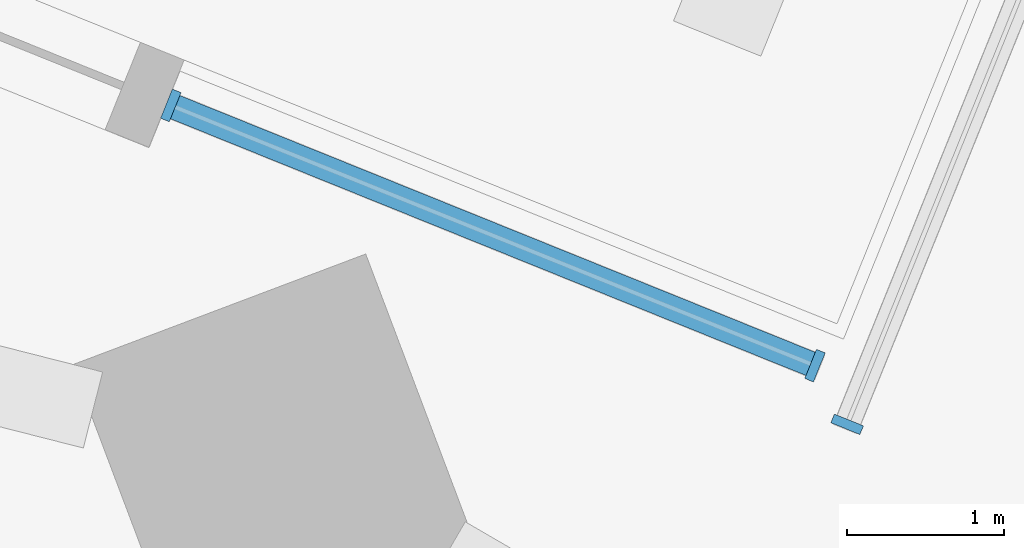
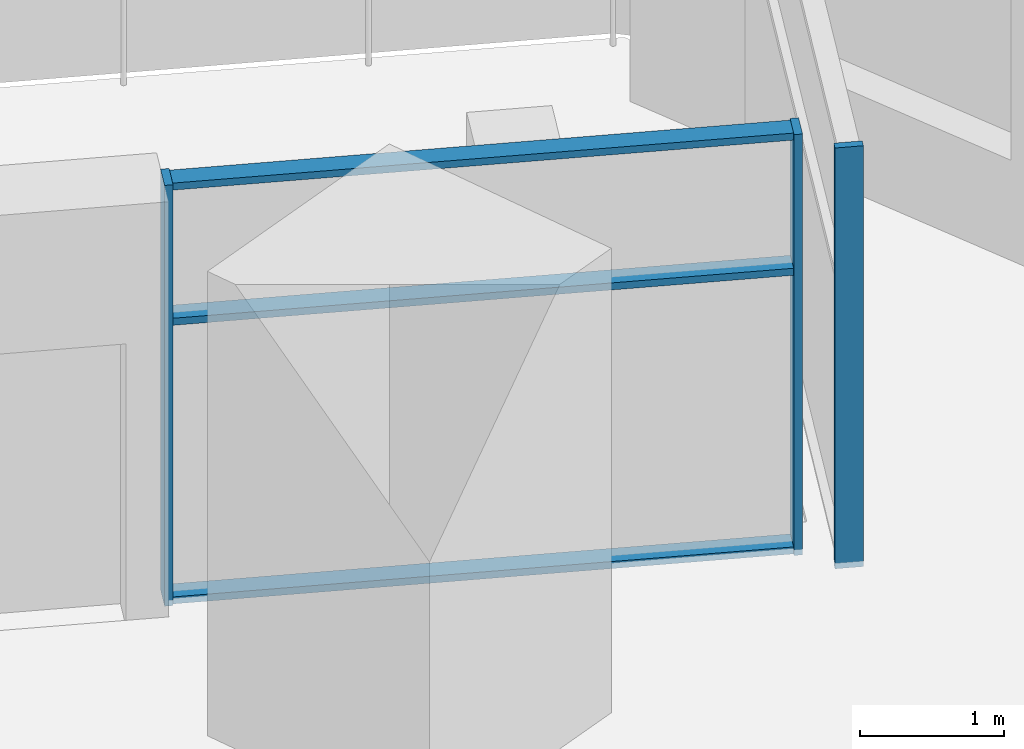
# One storey, part 2 of 12: 6 members, 2 elements without a shape of their own.
"""IFC4 building model written with IfcOpenShell, lengths in metres."""

from ifc_helpers import new_model, si_unit, direction, frame, origin, origin_2d, place, context, subcontext, project, spatial, rectangle, extrude, material, material_profile, profile_set, type_object, element, aggregate, save


model = new_model("IFC4")

# Units and contexts
model_context = context("Model", 3, precision=1e-05, world=origin(), true_north=direction((0.0, 1.0)))
body_context = subcontext(model_context, "Body", "Model", "MODEL_VIEW")
ifc_project = project(units=[si_unit("LENGTHUNIT", "METRE"), si_unit("AREAUNIT", "SQUARE_METRE"), si_unit("VOLUMEUNIT", "CUBIC_METRE"), si_unit("PLANEANGLEUNIT", "RADIAN"), si_unit("MASSUNIT", "GRAM", prefix="KILO")], contexts=[model_context])

# Site, building, storey
site_placement = place(None, origin())
site = spatial("IfcSite", under=ifc_project, at=site_placement, CompositionType="ELEMENT")
building_placement = place(site_placement, origin())
building = spatial("IfcBuilding", under=site, at=building_placement, Name="Dilmun Exchange Tower", CompositionType="ELEMENT")
storey_placement = place(building_placement, frame((0.0, 0.0, 114.10009765625)))
storey = spatial("IfcBuildingStorey", under=building, at=storey_placement, Name="L26", CompositionType="ELEMENT", Elevation=114.10009765625)

# Curtain wall, member
ifc_material_1 = material(Name="Anodised aluminium and clear glass", Category="aluminium")
curtain_wall_type = type_object("IfcCurtainWallType", Name="Garden corner glazing", PredefinedType="NOTDEFINED", material=ifc_material_1)
curtain_wall_1_placement = place(storey_placement, origin())
curtain_wall_1 = element("IfcCurtainWall", 1, at=curtain_wall_1_placement, inside=storey, type_object=curtain_wall_type, Name="Garden corner glazing run GC1.1", PredefinedType="NOTDEFINED")
ifc_material_2 = material(Name="Anodised aluminium", Category="aluminium")
ifc_material_profile_1 = material_profile(ifc_material_2, rectangle(XDim=0.199951171875, YDim=0.06005859375, at=origin_2d()), Name="AL 60x200")
ifc_profile_set_1 = profile_set([ifc_material_profile_1], Name="Anodised aluminium")
member_type_1 = type_object("IfcMemberType", Name="Garden corner glazing mullion 60 x 200", PredefinedType="MULLION", material=ifc_profile_set_1)
member_1_placement = place(storey_placement, frame((16.773193359375, 26.55712890625, 0.0), z_axis=(0.0, 0.0, 1.0), x_axis=(0.927181535276, -0.374612333812, 0.0)))
member_1 = element("IfcMember", 2, at=member_1_placement, type_object=member_type_1, Name="GC1.1 mullion 2", PredefinedType="MULLION", context=body_context, shape_type="SweptSolid", body=[
    extrude(rectangle(XDim=0.199951171875, YDim=0.06005859375, at=origin_2d()), origin(), (0.0, 0.0, 1.0), 3.579833984375),
])
aggregate(curtain_wall_1, [member_1])

# Curtain wall, members
curtain_wall_2_placement = place(storey_placement, origin())
curtain_wall_2 = element("IfcCurtainWall", 3, at=curtain_wall_2_placement, inside=storey, type_object=curtain_wall_type, Name="Garden corner glazing run GC2.1", PredefinedType="NOTDEFINED")
member_2_placement = place(storey_placement, frame((16.568359375, 26.93115234375, 0.0), z_axis=(0.0, 0.0, 1.0), x_axis=(-0.374618474689, -0.927179054132, 0.0)))
member_2 = element("IfcMember", 4, at=member_2_placement, type_object=member_type_1, Name="GC2.1 mullion 1", PredefinedType="MULLION", context=body_context, shape_type="SweptSolid", body=[
    extrude(rectangle(XDim=0.199951171875, YDim=0.06005859375, at=origin_2d()), origin(), (0.0, 0.0, 1.0), 3.579833984375),
])
member_3_placement = place(storey_placement, frame((12.461669921875, 28.59033203125, 0.0), z_axis=(0.0, 0.0, 1.0), x_axis=(-0.374618474689, -0.927179054132, 0.0)))
member_3 = element("IfcMember", 5, at=member_3_placement, type_object=member_type_1, Name="GC2.1 mullion 2", PredefinedType="MULLION", context=body_context, shape_type="SweptSolid", body=[
    extrude(rectangle(XDim=0.199951171875, YDim=0.06005859375, at=origin_2d()), origin(), (0.0, 0.0, 1.0), 3.579833984375),
])
ifc_material_profile_2 = material_profile(ifc_material_2, rectangle(XDim=0.159912109375, YDim=0.06005859375, at=origin_2d()), Name="AL 60x160")
ifc_profile_set_2 = profile_set([ifc_material_profile_2], Name="Anodised aluminium")
member_type_2 = type_object("IfcMemberType", Name="Garden corner glazing transom 60 x 160", PredefinedType="USERDEFINED", material=ifc_profile_set_2)
member_4_placement = place(storey_placement, frame((16.54052734375, 26.9423828125, 0.02978515625), z_axis=(-0.927183993631, 0.37460624922, 0.0), x_axis=(-0.37460624922, -0.927183993631, 0.0)))
member_4 = element("IfcMember", 6, at=member_4_placement, type_object=member_type_2, Name="GC2.1 transom 1.1", ObjectType="TRANSOM", PredefinedType="USERDEFINED", context=body_context, shape_type="SweptSolid", body=[
    extrude(rectangle(XDim=0.159912109375, YDim=0.06005859375, at=origin_2d()), origin(), (0.0, 0.0, 1.0), 4.369140625),
])
member_5_placement = place(storey_placement, frame((16.54052734375, 26.9423828125, 2.39990234375), z_axis=(-0.927183993631, 0.37460624922, 0.0), x_axis=(-0.37460624922, -0.927183993631, 0.0)))
member_5 = element("IfcMember", 7, at=member_5_placement, type_object=member_type_2, Name="GC2.1 transom 1.2", ObjectType="TRANSOM", PredefinedType="USERDEFINED", context=body_context, shape_type="SweptSolid", body=[
    extrude(rectangle(XDim=0.159912109375, YDim=0.06005859375, at=origin_2d()), origin(), (0.0, 0.0, 1.0), 4.369140625),
])
member_6_placement = place(storey_placement, frame((16.54052734375, 26.9423828125, 3.5498046875), z_axis=(-0.927183993631, 0.37460624922, 0.0), x_axis=(-0.37460624922, -0.927183993631, 0.0)))
member_6 = element("IfcMember", 8, at=member_6_placement, type_object=member_type_2, Name="GC2.1 transom 1.3", ObjectType="TRANSOM", PredefinedType="USERDEFINED", context=body_context, shape_type="SweptSolid", body=[
    extrude(rectangle(XDim=0.159912109375, YDim=0.06005859375, at=origin_2d()), origin(), (0.0, 0.0, 1.0), 4.369140625),
])
aggregate(curtain_wall_2, [member_2, member_3, member_4, member_5, member_6])

save(model, "model.ifc")
